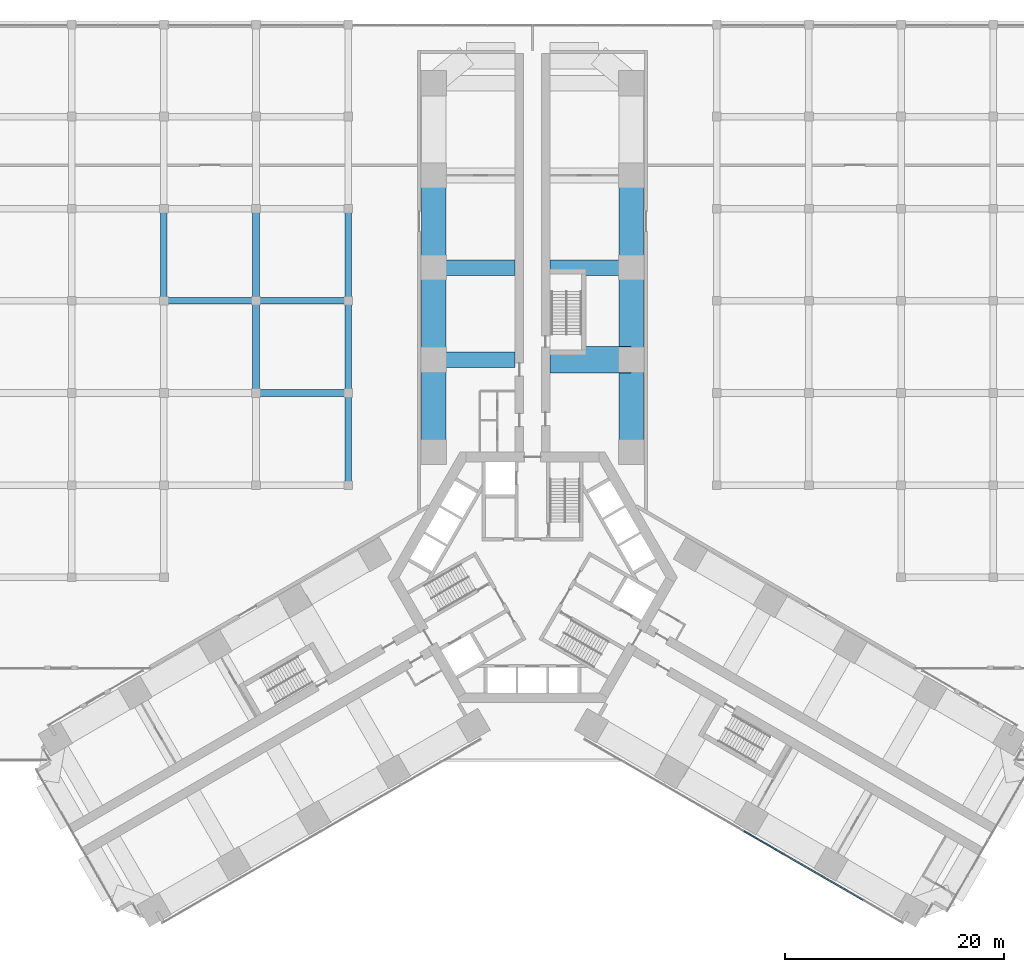
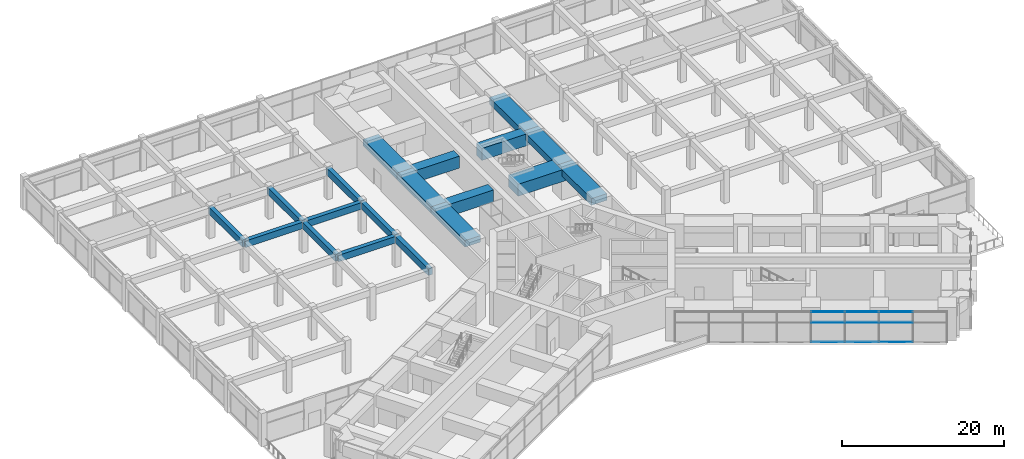
# One storey, part 10 of 33: 19 beams, 9 members, 1 element without a shape of its own.
"""IFC4 building model written with IfcOpenShell, lengths in metres."""

from ifc_helpers import new_model, si_unit, direction, frame, origin, origin_2d, place, context, subcontext, project, spatial, rectangle, extrude, material, material_profile, profile_set, type_object, element, aggregate, save


model = new_model("IFC4")

# Units and contexts
model_context = context("Model", 3, precision=1e-05, world=origin(), true_north=direction((0.0, 1.0)))
body_context = subcontext(model_context, "Body", "Model", "MODEL_VIEW")
ifc_project = project(units=[si_unit("LENGTHUNIT", "METRE"), si_unit("AREAUNIT", "SQUARE_METRE"), si_unit("VOLUMEUNIT", "CUBIC_METRE"), si_unit("PLANEANGLEUNIT", "RADIAN"), si_unit("MASSUNIT", "GRAM", prefix="KILO")], contexts=[model_context])

# Site, building, storey
site_placement = place(None, origin())
site = spatial("IfcSite", under=ifc_project, at=site_placement, CompositionType="ELEMENT")
building_placement = place(site_placement, origin())
building = spatial("IfcBuilding", under=site, at=building_placement, Name="Impinga Residences", CompositionType="ELEMENT")
storey_placement = place(building_placement, frame((0.0, 0.0, 21.0)))
storey = spatial("IfcBuildingStorey", under=building, at=storey_placement, Name="L04", CompositionType="ELEMENT", Elevation=21.0)

# Beams
ifc_material_1 = material(Name="Concrete C60/75", Category="concrete")
ifc_material_profile_1 = material_profile(ifc_material_1, rectangle(XDim=1.39990234375, YDim=1.800048828125, at=origin_2d()), Name="RC 1400x1800")
ifc_profile_set_1 = profile_set([ifc_material_profile_1], Name="Concrete C60/75")
beam_type_1 = type_object("IfcBeamType", Name="CG4 1400x1800 cross girder on a wing bay line under the podium floors", PredefinedType="BEAM", material=ifc_profile_set_1)
for number, where, z_axis, x_axis, name in (
    (1, (-1.60009765625, 19.83154296875, 3.699951171875), (-1.0, 0.0, 0.0), (0.0, -1.0, 0.0), "Beam CG4 N2 NC/NA level L05"),
    (2, (-1.60009765625, 28.2314453125, 3.699951171875), (-1.0, 0.0, 0.0), (0.0, -1.0, 0.0), "Beam CG4 N3 NC/NA level L05"),
    (3, (1.60009765625, 28.2314453125, 3.699951171875), (1.0, 0.0, 0.0), (0.0, 1.0, 0.0), "Beam CG4 N3 NC/NF level L05"),
):
    element("IfcBeam", number, at=place(storey_placement, frame(where, z_axis=z_axis, x_axis=x_axis)), inside=storey, type_object=beam_type_1, Name=name, PredefinedType="BEAM", context=body_context, shape_type="SweptSolid", body=[
        extrude(rectangle(XDim=1.39990234375, YDim=1.800048828125, at=origin_2d()), origin(), (0.0, 0.0, 1.0), 7.39990234375),
    ])
ifc_material_profile_2 = material_profile(ifc_material_1, rectangle(XDim=2.39990234375, YDim=1.800048828125, at=origin_2d()), Name="RC 2400x1800")
ifc_profile_set_2 = profile_set([ifc_material_profile_2], Name="Concrete C60/75")
beam_type_2 = type_object("IfcBeamType", Name="CG6 2400x1800 cross girder on bay line 2 under the first tower floor", PredefinedType="BEAM", material=ifc_profile_set_2)
beam_1_placement = place(storey_placement, frame((1.60009765625, 19.83154296875, 3.699951171875), z_axis=(1.0, 0.0, 0.0), x_axis=(0.0, 1.0, 0.0)))
element("IfcBeam", 4, at=beam_1_placement, inside=storey, type_object=beam_type_2, Name="Beam CG6 N2 NC/NF level L05", PredefinedType="BEAM", context=body_context, shape_type="SweptSolid", body=[
    extrude(rectangle(XDim=2.39990234375, YDim=1.800048828125, at=origin_2d()), origin(), (0.0, 0.0, 1.0), 7.39990234375),
])

# Curtain wall, members
ifc_material_2 = material(Name="Aluminium stick curtain wall", Category="aluminium")
curtain_wall_type = type_object("IfcCurtainWallType", Name="CW1 podium amenity curtain wall", PredefinedType="USERDEFINED", material=ifc_material_2)
curtain_wall_placement = place(storey_placement, origin())
curtain_wall = element("IfcCurtainWall", 5, at=curtain_wall_placement, inside=storey, type_object=curtain_wall_type, Name="Curtain wall CW1 L04", ObjectType="STICK CURTAIN WALL", PredefinedType="USERDEFINED")
ifc_material_3 = material(Name="Aluminium transom", Category="aluminium")
ifc_material_profile_3 = material_profile(ifc_material_3, rectangle(XDim=0.06005859375, YDim=0.1201171875, at=origin_2d()), Name="60x120 transom")
ifc_profile_set_3 = profile_set([ifc_material_profile_3], Name="Aluminium transom")
member_type = type_object("IfcMemberType", Name="CW1-T transom 60x120", PredefinedType="USERDEFINED", material=ifc_profile_set_3)
member_1_placement = place(storey_placement, frame((30.13525390625, -29.407470703125, 0.030029296875), z_axis=(-0.866024536972, 0.500001501361, 0.0), x_axis=(0.0, 0.0, 1.0)))
member_1 = element("IfcMember", 6, at=member_1_placement, type_object=member_type, Name="CW1 transom 2.1", ObjectType="TRANSOM", PredefinedType="USERDEFINED", context=body_context, shape_type="SweptSolid", body=[
    extrude(rectangle(XDim=0.06005859375, YDim=0.1201171875, at=origin_2d()), origin(), (0.0, 0.0, 1.0), 4.14013671875),
])
member_2_placement = place(storey_placement, frame((30.13525390625, -29.407470703125, 3.0), z_axis=(-0.866024536972, 0.500001501361, 0.0), x_axis=(0.0, 0.0, 1.0)))
member_2 = element("IfcMember", 7, at=member_2_placement, type_object=member_type, Name="CW1 transom 2.2", ObjectType="TRANSOM", PredefinedType="USERDEFINED", context=body_context, shape_type="SweptSolid", body=[
    extrude(rectangle(XDim=0.06005859375, YDim=0.1201171875, at=origin_2d()), origin(), (0.0, 0.0, 1.0), 4.14013671875),
])
member_3_placement = place(storey_placement, frame((30.13525390625, -29.407470703125, 4.570068359375), z_axis=(-0.866024536972, 0.500001501361, 0.0), x_axis=(0.0, 0.0, 1.0)))
member_3 = element("IfcMember", 8, at=member_3_placement, type_object=member_type, Name="CW1 transom 2.3", ObjectType="TRANSOM", PredefinedType="USERDEFINED", context=body_context, shape_type="SweptSolid", body=[
    extrude(rectangle(XDim=0.06005859375, YDim=0.1201171875, at=origin_2d()), origin(), (0.0, 0.0, 1.0), 4.14013671875),
])
member_4_placement = place(storey_placement, frame((26.497802734375, -27.307373046875, 0.030029296875), z_axis=(-0.86603532975, 0.499982807329, 0.0), x_axis=(0.0, 0.0, 1.0)))
member_4 = element("IfcMember", 9, at=member_4_placement, type_object=member_type, Name="CW1 transom 3.1", ObjectType="TRANSOM", PredefinedType="USERDEFINED", context=body_context, shape_type="SweptSolid", body=[
    extrude(rectangle(XDim=0.06005859375, YDim=0.1201171875, at=origin_2d()), origin(), (0.0, 0.0, 1.0), 4.139892578125),
])
member_5_placement = place(storey_placement, frame((26.497802734375, -27.307373046875, 3.0), z_axis=(-0.86603532975, 0.499982807329, 0.0), x_axis=(0.0, 0.0, 1.0)))
member_5 = element("IfcMember", 10, at=member_5_placement, type_object=member_type, Name="CW1 transom 3.2", ObjectType="TRANSOM", PredefinedType="USERDEFINED", context=body_context, shape_type="SweptSolid", body=[
    extrude(rectangle(XDim=0.06005859375, YDim=0.1201171875, at=origin_2d()), origin(), (0.0, 0.0, 1.0), 4.139892578125),
])
member_6_placement = place(storey_placement, frame((26.497802734375, -27.307373046875, 4.570068359375), z_axis=(-0.86603532975, 0.499982807329, 0.0), x_axis=(0.0, 0.0, 1.0)))
member_6 = element("IfcMember", 11, at=member_6_placement, type_object=member_type, Name="CW1 transom 3.3", ObjectType="TRANSOM", PredefinedType="USERDEFINED", context=body_context, shape_type="SweptSolid", body=[
    extrude(rectangle(XDim=0.06005859375, YDim=0.1201171875, at=origin_2d()), origin(), (0.0, 0.0, 1.0), 4.139892578125),
])
member_7_placement = place(storey_placement, frame((22.860595703125, -25.20751953125, 0.030029296875), z_axis=(-0.866024536972, 0.500001501361, 0.0), x_axis=(0.0, 0.0, 1.0)))
member_7 = element("IfcMember", 12, at=member_7_placement, type_object=member_type, Name="CW1 transom 4.1", ObjectType="TRANSOM", PredefinedType="USERDEFINED", context=body_context, shape_type="SweptSolid", body=[
    extrude(rectangle(XDim=0.06005859375, YDim=0.1201171875, at=origin_2d()), origin(), (0.0, 0.0, 1.0), 4.14013671875),
])
member_8_placement = place(storey_placement, frame((22.860595703125, -25.20751953125, 3.0), z_axis=(-0.866024536972, 0.500001501361, 0.0), x_axis=(0.0, 0.0, 1.0)))
member_8 = element("IfcMember", 13, at=member_8_placement, type_object=member_type, Name="CW1 transom 4.2", ObjectType="TRANSOM", PredefinedType="USERDEFINED", context=body_context, shape_type="SweptSolid", body=[
    extrude(rectangle(XDim=0.06005859375, YDim=0.1201171875, at=origin_2d()), origin(), (0.0, 0.0, 1.0), 4.14013671875),
])
member_9_placement = place(storey_placement, frame((22.860595703125, -25.20751953125, 4.570068359375), z_axis=(-0.866024536972, 0.500001501361, 0.0), x_axis=(0.0, 0.0, 1.0)))
member_9 = element("IfcMember", 14, at=member_9_placement, type_object=member_type, Name="CW1 transom 4.3", ObjectType="TRANSOM", PredefinedType="USERDEFINED", context=body_context, shape_type="SweptSolid", body=[
    extrude(rectangle(XDim=0.06005859375, YDim=0.1201171875, at=origin_2d()), origin(), (0.0, 0.0, 1.0), 4.14013671875),
])
aggregate(curtain_wall, [member_1, member_2, member_3, member_4, member_5, member_6, member_7, member_8, member_9])

# Beams
ifc_material_profile_4 = material_profile(ifc_material_1, rectangle(XDim=0.60009765625, YDim=1.0, at=origin_2d()), Name="RC 600x1000")
ifc_profile_set_4 = profile_set([ifc_material_profile_4], Name="Concrete C60/75")
beam_type_3 = type_object("IfcBeamType", Name="PB2 600x1000 podium beam", PredefinedType="BEAM", material=ifc_profile_set_4)
beam_2_placement = place(storey_placement, frame((-25.199951171875, 16.800048828125, 4.10009765625), z_axis=(1.0, 0.0, 0.0), x_axis=(0.0, 1.0, 0.0)))
element("IfcBeam", 15, at=beam_2_placement, inside=storey, type_object=beam_type_3, Name="Beam PB2 H/4-5 level L05", PredefinedType="BEAM", context=body_context, shape_type="SweptSolid", body=[
    extrude(rectangle(XDim=0.60009765625, YDim=1.0, at=origin_2d()), origin(), (0.0, 0.0, 1.0), 8.39990234375),
])
beam_3_placement = place(storey_placement, frame((-33.60009765625, 25.199951171875, 4.10009765625), z_axis=(1.0, 0.0, 0.0), x_axis=(0.0, 1.0, 0.0)))
element("IfcBeam", 16, at=beam_3_placement, inside=storey, type_object=beam_type_3, Name="Beam PB2 J/3-4 level L05", PredefinedType="BEAM", context=body_context, shape_type="SweptSolid", body=[
    extrude(rectangle(XDim=0.60009765625, YDim=1.0, at=origin_2d()), origin(), (0.0, 0.0, 1.0), 8.400146484375),
])
beam_4_placement = place(storey_placement, frame((-25.199951171875, 25.199951171875, 4.10009765625), z_axis=(1.0, 0.0, 0.0), x_axis=(0.0, 1.0, 0.0)))
element("IfcBeam", 17, at=beam_4_placement, inside=storey, type_object=beam_type_3, Name="Beam PB2 J/4-5 level L05", PredefinedType="BEAM", context=body_context, shape_type="SweptSolid", body=[
    extrude(rectangle(XDim=0.60009765625, YDim=1.0, at=origin_2d()), origin(), (0.0, 0.0, 1.0), 8.39990234375),
])
beam_5_placement = place(storey_placement, frame((-33.60009765625, 25.199951171875, 4.10009765625), z_axis=(0.0, 1.0, 0.0), x_axis=(-1.0, 0.0, 0.0)))
element("IfcBeam", 18, at=beam_5_placement, inside=storey, type_object=beam_type_3, Name="Beam PB2 3/J-K level L05", PredefinedType="BEAM", context=body_context, shape_type="SweptSolid", body=[
    extrude(rectangle(XDim=0.60009765625, YDim=1.0, at=origin_2d()), origin(), (0.0, 0.0, 1.0), 8.400146484375),
])
beam_6_placement = place(storey_placement, frame((-25.199951171875, 16.800048828125, 4.10009765625), z_axis=(0.0, 1.0, 0.0), x_axis=(-1.0, 0.0, 0.0)))
element("IfcBeam", 19, at=beam_6_placement, inside=storey, type_object=beam_type_3, Name="Beam PB2 4/H-J level L05", PredefinedType="BEAM", context=body_context, shape_type="SweptSolid", body=[
    extrude(rectangle(XDim=0.60009765625, YDim=1.0, at=origin_2d()), origin(), (0.0, 0.0, 1.0), 8.39990234375),
])
for number, where, z_axis, x_axis, name in (
    (20, (-25.199951171875, 25.199951171875, 4.10009765625), (0.0, 1.0, 0.0), (-1.0, 0.0, 0.0), "Beam PB2 4/J-K level L05"),
    (21, (-16.800048828125, 8.39990234375, 4.10009765625), (0.0, 1.0, 0.0), (-1.0, 0.0, 0.0), "Beam PB2 5/G-H level L05"),
):
    element("IfcBeam", number, at=place(storey_placement, frame(where, z_axis=z_axis, x_axis=x_axis)), inside=storey, type_object=beam_type_3, Name=name, PredefinedType="BEAM", context=body_context, shape_type="SweptSolid", body=[
        extrude(rectangle(XDim=0.60009765625, YDim=1.0, at=origin_2d()), origin(), (0.0, 0.0, 1.0), 8.400146484375),
    ])
beam_7_placement = place(storey_placement, frame((-16.800048828125, 16.800048828125, 4.10009765625), z_axis=(0.0, 1.0, 0.0), x_axis=(-1.0, 0.0, 0.0)))
element("IfcBeam", 22, at=beam_7_placement, inside=storey, type_object=beam_type_3, Name="Beam PB2 5/H-J level L05", PredefinedType="BEAM", context=body_context, shape_type="SweptSolid", body=[
    extrude(rectangle(XDim=0.60009765625, YDim=1.0, at=origin_2d()), origin(), (0.0, 0.0, 1.0), 8.39990234375),
])
beam_8_placement = place(storey_placement, frame((-16.800048828125, 25.199951171875, 4.10009765625), z_axis=(0.0, 1.0, 0.0), x_axis=(-1.0, 0.0, 0.0)))
element("IfcBeam", 23, at=beam_8_placement, inside=storey, type_object=beam_type_3, Name="Beam PB2 5/J-K level L05", PredefinedType="BEAM", context=body_context, shape_type="SweptSolid", body=[
    extrude(rectangle(XDim=0.60009765625, YDim=1.0, at=origin_2d()), origin(), (0.0, 0.0, 1.0), 8.400146484375),
])
ifc_material_profile_5 = material_profile(ifc_material_1, rectangle(XDim=2.199951171875, YDim=1.0, at=origin_2d()), Name="RC 2200x1000")
ifc_profile_set_5 = profile_set([ifc_material_profile_5], Name="Concrete C60/75")
beam_type_4 = type_object("IfcBeamType", Name="PB3 2200x1000 podium band beam", PredefinedType="BEAM", material=ifc_profile_set_5)
for number, where, z_axis, x_axis, name in (
    (24, (-9.0, 11.431640625, 4.10009765625), (0.0, 1.0, 0.0), (-1.0, 0.0, 0.0), "Beam PB3 NA N1-N2 level L05"),
    (25, (-9.0, 19.83154296875, 4.10009765625), (0.0, 1.0, 0.0), (-1.0, 0.0, 0.0), "Beam PB3 NA N2-N3 level L05"),
):
    element("IfcBeam", number, at=place(storey_placement, frame(where, z_axis=z_axis, x_axis=x_axis)), inside=storey, type_object=beam_type_4, Name=name, PredefinedType="BEAM", context=body_context, shape_type="SweptSolid", body=[
        extrude(rectangle(XDim=2.199951171875, YDim=1.0, at=origin_2d()), origin(), (0.0, 0.0, 1.0), 8.39990234375),
    ])
beam_9_placement = place(storey_placement, frame((-9.0, 28.2314453125, 4.10009765625), z_axis=(0.0, 1.0, 0.0), x_axis=(-1.0, 0.0, 0.0)))
element("IfcBeam", 26, at=beam_9_placement, inside=storey, type_object=beam_type_4, Name="Beam PB3 NA N3-N4 level L05", PredefinedType="BEAM", context=body_context, shape_type="SweptSolid", body=[
    extrude(rectangle(XDim=2.199951171875, YDim=1.0, at=origin_2d()), origin(), (0.0, 0.0, 1.0), 8.400146484375),
])
for number, where, z_axis, x_axis, name in (
    (27, (9.0, 11.431640625, 4.10009765625), (0.0, 1.0, 0.0), (-1.0, 0.0, 0.0), "Beam PB3 NF N1-N2 level L05"),
    (28, (9.0, 19.83154296875, 4.10009765625), (0.0, 1.0, 0.0), (-1.0, 0.0, 0.0), "Beam PB3 NF N2-N3 level L05"),
):
    element("IfcBeam", number, at=place(storey_placement, frame(where, z_axis=z_axis, x_axis=x_axis)), inside=storey, type_object=beam_type_4, Name=name, PredefinedType="BEAM", context=body_context, shape_type="SweptSolid", body=[
        extrude(rectangle(XDim=2.199951171875, YDim=1.0, at=origin_2d()), origin(), (0.0, 0.0, 1.0), 8.39990234375),
    ])
beam_10_placement = place(storey_placement, frame((9.0, 28.2314453125, 4.10009765625), z_axis=(0.0, 1.0, 0.0), x_axis=(-1.0, 0.0, 0.0)))
element("IfcBeam", 29, at=beam_10_placement, inside=storey, type_object=beam_type_4, Name="Beam PB3 NF N3-N4 level L05", PredefinedType="BEAM", context=body_context, shape_type="SweptSolid", body=[
    extrude(rectangle(XDim=2.199951171875, YDim=1.0, at=origin_2d()), origin(), (0.0, 0.0, 1.0), 8.400146484375),
])

save(model, "model.ifc")
